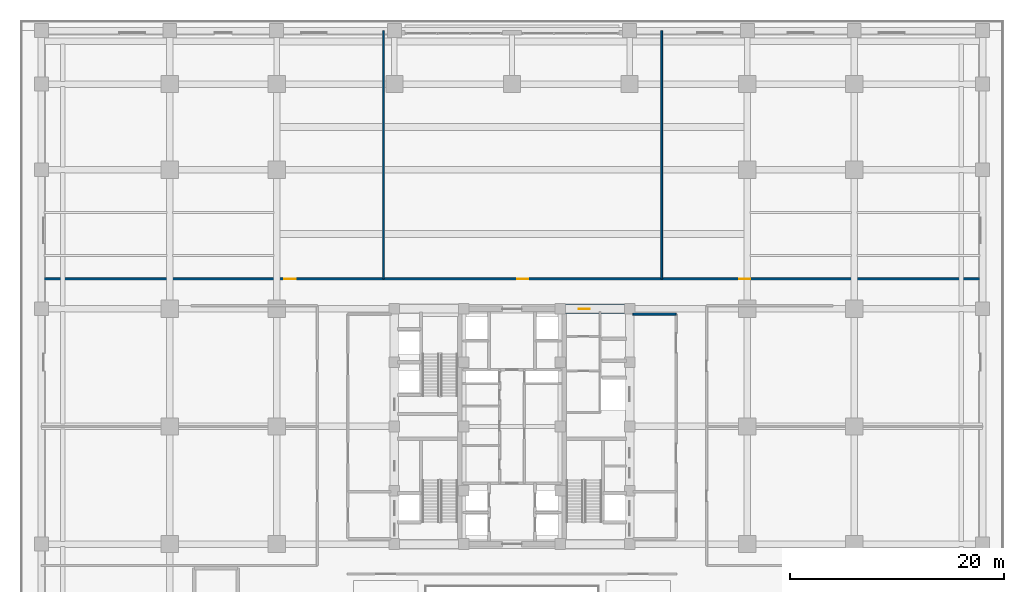
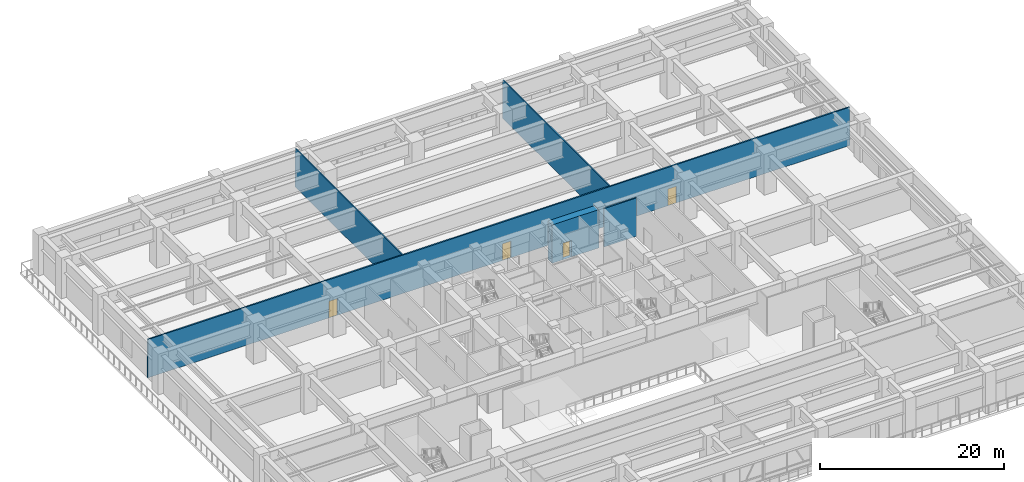
# One storey, part 19 of 28: 5 walls, 4 doors, 4 openings.
"""IFC4 building model written with IfcOpenShell, lengths in metres."""

from ifc_helpers import new_model, si_unit, direction, frame, frame_2d, origin, place, context, subcontext, project, spatial, rectangle, extrude, source, transform, mapped, material, layer, layer_set, type_object, element, fill, save


model = new_model("IFC4")

# Units and contexts
model_context = context("Model", 3, precision=1e-05, world=origin(), true_north=direction((0.0, 1.0)))
body_context = subcontext(model_context, "Body", "Model", "MODEL_VIEW")
ifc_project = project(units=[si_unit("LENGTHUNIT", "METRE"), si_unit("AREAUNIT", "SQUARE_METRE"), si_unit("VOLUMEUNIT", "CUBIC_METRE"), si_unit("PLANEANGLEUNIT", "RADIAN"), si_unit("MASSUNIT", "GRAM", prefix="KILO")], contexts=[model_context])

# Site, building, storey
site_placement = place(None, origin())
site = spatial("IfcSite", under=ifc_project, at=site_placement, CompositionType="ELEMENT")
building_placement = place(site_placement, origin())
building = spatial("IfcBuilding", under=site, at=building_placement, Name="Khorayat Bourse Tower", CompositionType="ELEMENT")
storey_placement = place(building_placement, frame((0.0, 0.0, 6.60009765625)))
storey = spatial("IfcBuildingStorey", under=building, at=storey_placement, Name="L01", CompositionType="ELEMENT", Elevation=6.60009765625)

# Wall, opening, door
ifc_material_1 = material(Name="Concrete C72/90", Category="concrete")
ifc_layer_1 = layer(ifc_material_1, 0.89990234375)
ifc_layer_set_1 = layer_set([ifc_layer_1], Name="Concrete C72/90")
wall_type_1 = type_object("IfcWallType", Name="WAL-CORE-900", PredefinedType="SHEAR", material=ifc_layer_set_1)
shared_shape_1 = source(origin(), body_context, "Body", "SweptSolid", [
    extrude(rectangle(XDim=5.849853515625, YDim=0.89990234375, at=frame_2d((2.9248046875, 0.0))), origin(), (0.0, 0.0, 1.0), 5.079833984375),
])
wall_1_placement = place(storey_placement, frame((4.85009765625, 11.0, 0.0), z_axis=(0.0, 0.0, 1.0), x_axis=(1.0, 0.0, 0.0)))
wall_1 = element("IfcWall", 1, at=wall_1_placement, inside=storey, type_object=wall_type_1, Name="L01 Core Shear Wall PIER-EN", PredefinedType="SHEAR", context=body_context, shape_type="MappedRepresentation", body=[
    mapped(shared_shape_1, transform((0.0, 0.0, 0.0), scale=1.0)),
])
shared_shape_2 = source(origin(), body_context, "Body", "SweptSolid", [
    extrude(rectangle(XDim=1.050048828125, YDim=2.199951171875, at=frame_2d((0.52490234375, 1.10009765625))), frame((0.0, 0.4599609375, 0.0), z_axis=(0.0, -1.0, 0.0), x_axis=(1.0, 0.0, 0.0)), (0.0, 0.0, 1.0), 0.919921875),
])
opening_1_placement = place(wall_1_placement, frame((1.375, 0.0, 0.0)))
opening_1 = element("IfcOpeningElement", 2, at=opening_1_placement, cuts=wall_1, Name="Opening DI-04", PredefinedType="OPENING", context=body_context, shape_type="MappedRepresentation", body=[
    mapped(shared_shape_2, transform((0.0, 0.0, 0.0), scale=1.0)),
])
ifc_material_2 = material(Name="Fire-rated oak veneer suite entrance door")
door_type = type_object("IfcDoorType", Name="DR-INT-SUITE-1050", OperationType="NOTDEFINED", PredefinedType="DOOR", material=ifc_material_2)
shared_shape_3 = source(origin(), body_context, "Body", "SweptSolid", [
    extrude(rectangle(XDim=1.050048828125, YDim=2.199951171875, at=frame_2d((0.52490234375, 1.10009765625))), frame((0.0, 0.02490234375, 0.0), z_axis=(0.0, -1.0, 0.0), x_axis=(1.0, 0.0, 0.0)), (0.0, 0.0, 1.0), 0.050048828125),
])
door_1_placement = place(opening_1_placement, origin())
door_1 = element("IfcDoor", 3, at=door_1_placement, inside=storey, type_object=door_type, Name="L01 Core Washroom Lobby Door", OperationType="SINGLE_SWING_LEFT", OverallHeight=2.199951171875, OverallWidth=1.050048828125, PredefinedType="DOOR", context=body_context, shape_type="MappedRepresentation", body=[
    mapped(shared_shape_3, transform((0.0, 0.0, 0.0), scale=1.0)),
])
fill(opening_1, door_1)

# Wall
ifc_material_3 = material(Name="Gypsum plasterboard acoustic stud wall")
ifc_layer_2 = layer(ifc_material_3, 0.179931640625)
ifc_layer_set_2 = layer_set([ifc_layer_2], Name="Gypsum plasterboard acoustic stud wall")
wall_type_2 = type_object("IfcWallType", Name="WAL-PART-CORR-180", PredefinedType="PARTITIONING", material=ifc_layer_set_2)
shared_shape_4 = source(origin(), body_context, "Body", "SweptSolid", [
    extrude(rectangle(XDim=4.050048828125, YDim=0.179931640625, at=frame_2d((2.02490234375, 0.0))), origin(), (0.0, 0.0, 1.0), 5.079833984375),
])
wall_2_placement = place(storey_placement, frame((11.300048828125, 10.5, 0.0), z_axis=(0.0, 0.0, 1.0), x_axis=(1.0, 0.0, 0.0)))
element("IfcWall", 4, at=wall_2_placement, inside=storey, type_object=wall_type_2, Name="L01 Partition WAL-L01-ELOB-N", PredefinedType="PARTITIONING", context=body_context, shape_type="MappedRepresentation", body=[
    mapped(shared_shape_4, transform((0.0, 0.0, 0.0), scale=1.0)),
])

# Wall, openings, doors
shared_shape_5 = source(origin(), body_context, "Body", "SweptSolid", [
    extrude(rectangle(XDim=88.0, YDim=0.179931640625, at=frame_2d((44.0, 0.0))), origin(), (0.0, 0.0, 1.0), 5.079833984375),
])
wall_3_placement = place(storey_placement, frame((-44.0, 13.800048828125, 0.0), z_axis=(0.0, 0.0, 1.0), x_axis=(1.0, 0.0, 0.0)))
wall_3 = element("IfcWall", 5, at=wall_3_placement, inside=storey, type_object=wall_type_2, Name="L01 Partition WAL-L01-PCORRN-N", PredefinedType="PARTITIONING", context=body_context, shape_type="MappedRepresentation", body=[
    mapped(shared_shape_5, transform((0.0, 0.0, 0.0), scale=1.0)),
])
shared_shape_6 = source(origin(), body_context, "Body", "SweptSolid", [
    extrude(rectangle(XDim=1.050048828125, YDim=2.199951171875, at=frame_2d((0.52490234375, 1.10009765625))), frame((0.0, 0.099853515625, 0.0), z_axis=(0.0, -1.0, 0.0), x_axis=(1.0, 0.0, 0.0)), (0.0, 0.0, 1.0), 0.199951171875),
])
opening_2_placement = place(wall_3_placement, frame((22.72509765625, 0.0, 0.0)))
opening_2 = element("IfcOpeningElement", 6, at=opening_2_placement, cuts=wall_3, Name="Opening DI-04", PredefinedType="OPENING", context=body_context, shape_type="MappedRepresentation", body=[
    mapped(shared_shape_6, transform((0.0, 0.0, 0.0), scale=1.0)),
])
opening_3_placement = place(wall_3_placement, frame((44.47509765625, 0.0, 0.0)))
opening_3 = element("IfcOpeningElement", 7, at=opening_3_placement, cuts=wall_3, Name="Opening DI-04", PredefinedType="OPENING", context=body_context, shape_type="MappedRepresentation", body=[
    mapped(shared_shape_6, transform((0.0, 0.0, 0.0), scale=1.0)),
])
opening_4_placement = place(wall_3_placement, frame((65.22509765625, 0.0, 0.0)))
opening_4 = element("IfcOpeningElement", 8, at=opening_4_placement, cuts=wall_3, Name="Opening DI-04", PredefinedType="OPENING", context=body_context, shape_type="MappedRepresentation", body=[
    mapped(shared_shape_6, transform((0.0, 0.0, 0.0), scale=1.0)),
])
door_2_placement = place(opening_2_placement, origin())
door_2 = element("IfcDoor", 9, at=door_2_placement, inside=storey, type_object=door_type, Name="L01 Brokerage Operations Suite Door", OperationType="SINGLE_SWING_LEFT", OverallHeight=2.199951171875, OverallWidth=1.050048828125, PredefinedType="DOOR", context=body_context, shape_type="MappedRepresentation", body=[
    mapped(shared_shape_3, transform((0.0, 0.0, 0.0), scale=1.0)),
])
fill(opening_2, door_2)
door_3_placement = place(opening_3_placement, origin())
door_3 = element("IfcDoor", 10, at=door_3_placement, inside=storey, type_object=door_type, Name="L01 Members Espresso Bistro Door", OperationType="SINGLE_SWING_RIGHT", OverallHeight=2.199951171875, OverallWidth=1.050048828125, PredefinedType="DOOR", context=body_context, shape_type="MappedRepresentation", body=[
    mapped(shared_shape_3, transform((0.0, 0.0, 0.0), scale=1.0)),
])
fill(opening_3, door_3)
door_4_placement = place(opening_4_placement, origin())
door_4 = element("IfcDoor", 11, at=door_4_placement, inside=storey, type_object=door_type, Name="L01 Exchange Staff Pantry Door", OperationType="SINGLE_SWING_LEFT", OverallHeight=2.199951171875, OverallWidth=1.050048828125, PredefinedType="DOOR", context=body_context, shape_type="MappedRepresentation", body=[
    mapped(shared_shape_3, transform((0.0, 0.0, 0.0), scale=1.0)),
])
fill(opening_4, door_4)

# Walls
ifc_material_4 = material(Name="Gypsum plasterboard twin-frame partition")
ifc_layer_3 = layer(ifc_material_4, 0.14990234375)
ifc_layer_set_3 = layer_set([ifc_layer_3], Name="Gypsum plasterboard twin-frame partition")
wall_type_3 = type_object("IfcWallType", Name="WAL-PART-SUITE-150", PredefinedType="PARTITIONING", material=ifc_layer_set_3)
shared_shape_7 = source(origin(), body_context, "Body", "SweptSolid", [
    extrude(rectangle(XDim=23.199951171875, YDim=0.14990234375, at=frame_2d((11.60009765625, 0.0))), origin(), (0.0, 0.0, 1.0), 5.079833984375),
])
for number, where, z_axis, x_axis, name in (
    (12, (-12.0, 13.800048828125, 0.0), (0.0, 0.0, 1.0), (0.0, 1.0, 0.0), "L01 Partition WAL-L01-PN-DIV-1"),
    (13, (14.0, 13.800048828125, 0.0), (0.0, 0.0, 1.0), (0.0, 1.0, 0.0), "L01 Partition WAL-L01-PN-DIV-2"),
):
    element("IfcWall", number, at=place(storey_placement, frame(where, z_axis=z_axis, x_axis=x_axis)), inside=storey, type_object=wall_type_3, Name=name, PredefinedType="PARTITIONING", context=body_context, shape_type="MappedRepresentation", body=[
        mapped(shared_shape_7, transform((0.0, 0.0, 0.0), scale=1.0)),
    ])

save(model, "model.ifc")
